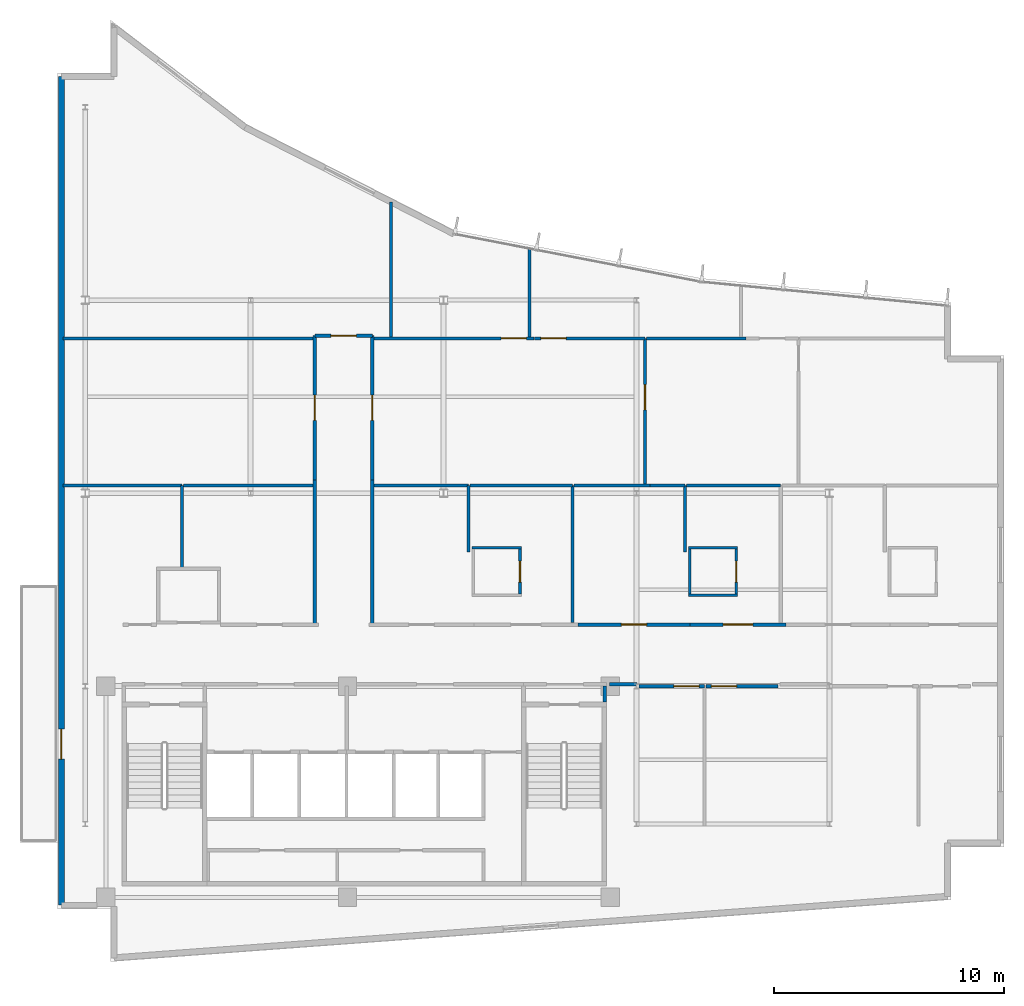
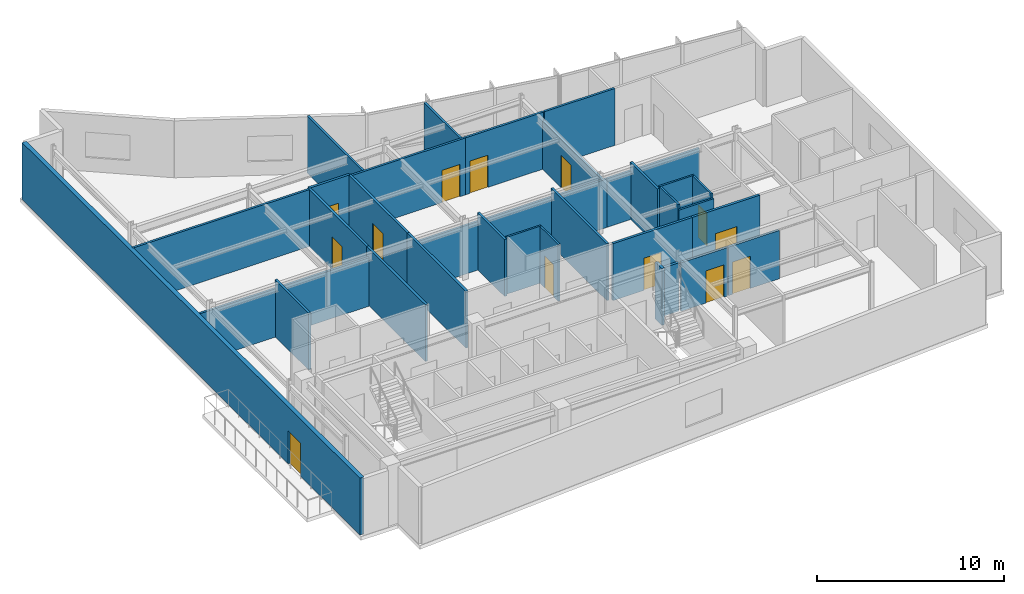
# One storey, part 11 of 16: 36 walls, 13 doors, 13 openings.
"""IFC4 building model written with IfcOpenShell, lengths in metres."""

from ifc_helpers import new_model, si_unit, direction, frame, frame_2d, origin, place, context, subcontext, project, spatial, rectangle, extrude, material, layer, layer_set, type_object, element, fill, save


model = new_model("IFC4")

# Units and contexts
model_context = context("Model", 3, precision=1e-05, world=origin(), true_north=direction((0.0, 1.0)))
body_context = subcontext(model_context, "Body", "Model", "MODEL_VIEW")
ifc_project = project(units=[si_unit("LENGTHUNIT", "METRE"), si_unit("AREAUNIT", "SQUARE_METRE"), si_unit("VOLUMEUNIT", "CUBIC_METRE"), si_unit("PLANEANGLEUNIT", "RADIAN"), si_unit("MASSUNIT", "GRAM", prefix="KILO")], contexts=[model_context])

# Site, building, storey
site_placement = place(None, origin())
site = spatial("IfcSite", under=ifc_project, at=site_placement, CompositionType="ELEMENT")
building_placement = place(site_placement, origin())
building = spatial("IfcBuilding", under=site, at=building_placement, Name="Varnakote Quay Hospital", CompositionType="ELEMENT")
storey_placement = place(building_placement, frame((0.0, 0.0, 280.25)))
storey = spatial("IfcBuildingStorey", under=building, at=storey_placement, Name="L69", CompositionType="ELEMENT", Elevation=280.25)

# Walls
ifc_material_1 = material(Name="Fire-rated acoustic gypsum stud wall", Category="gypsum")
ifc_layer_1 = layer(ifc_material_1, 0.159912109375)
ifc_layer_set_1 = layer_set([ifc_layer_1], Name="Fire-rated acoustic gypsum stud wall")
wall_type_1 = type_object("IfcWallType", Name="WL-COMP-160", PredefinedType="PARTITIONING", material=ifc_layer_set_1)
wall_1_placement = place(storey_placement, frame((23.820068359375, 11.300048828125, 0.0), z_axis=(0.0, 0.0, 1.0), x_axis=(0.0, 1.0, 0.0)))
element("IfcWall", 1, at=wall_1_placement, inside=storey, type_object=wall_type_1, Name="L69 East Stair Vestibule East Wall", PredefinedType="PARTITIONING", context=body_context, shape_type="SweptSolid", body=[
    extrude(rectangle(XDim=0.699951171875, YDim=0.159912109375, at=frame_2d((0.35009765625, 0.0))), origin(), (0.0, 0.0, 1.0), 3.7099609375),
])
wall_2_placement = place(storey_placement, frame((24.02001953125, 12.080078125, 0.0), z_axis=(0.0, 0.0, 1.0), x_axis=(1.0, 0.0, 0.0)))
element("IfcWall", 2, at=wall_2_placement, inside=storey, type_object=wall_type_1, Name="L69 Corridor South Gap Wall", PredefinedType="PARTITIONING", context=body_context, shape_type="SweptSolid", body=[
    extrude(rectangle(XDim=1.193115234375, YDim=0.159912109375, at=frame_2d((0.5966796875, 0.0))), origin(), (0.0, 0.0, 1.0), 3.156982421875),
])
ifc_material_2 = material(Name="Moisture-resistant bathroom partition", Category="gypsum")
ifc_layer_2 = layer(ifc_material_2, 0.114990234375)
ifc_layer_set_2 = layer_set([ifc_layer_2], Name="Moisture-resistant bathroom partition")
wall_type_2 = type_object("IfcWallType", Name="WL-ENS-115", PredefinedType="PARTITIONING", material=ifc_layer_set_2)
wall_3_placement = place(storey_placement, frame((18.034912109375, 18.017578125, 0.0), z_axis=(0.0, 0.0, 1.0), x_axis=(1.0, 0.0, 0.0)))
element("IfcWall", 3, at=wall_3_placement, inside=storey, type_object=wall_type_2, Name="L69 Inpatient En-Suite Bathroom 01 N Wall", PredefinedType="PARTITIONING", context=body_context, shape_type="SweptSolid", body=[
    extrude(rectangle(XDim=2.150146484375, YDim=0.114990234375, at=frame_2d((1.0751953125, 0.0))), origin(), (0.0, 0.0, 1.0), 3.7099609375),
])

# Wall, opening, door
wall_4_placement = place(storey_placement, frame((20.12744140625, 16.010009765625, 0.0), z_axis=(0.0, 0.0, 1.0), x_axis=(0.0, 1.0, 0.0)))
wall_4 = element("IfcWall", 4, at=wall_4_placement, inside=storey, type_object=wall_type_2, Name="L69 Inpatient En-Suite Bathroom 01 E Wall", PredefinedType="PARTITIONING", context=body_context, shape_type="SweptSolid", body=[
    extrude(rectangle(XDim=1.949951171875, YDim=0.114990234375, at=frame_2d((0.97509765625, 0.0))), origin(), (0.0, 0.0, 1.0), 3.7099609375),
])
opening_1_placement = place(wall_4_placement, frame((0.514892578125, 0.0, 0.0)))
opening_1 = element("IfcOpeningElement", 5, at=opening_1_placement, cuts=wall_4, Name="Opening D-L69-ENS01", PredefinedType="OPENING", context=body_context, shape_type="SweptSolid", body=[
    extrude(rectangle(XDim=0.919921875, YDim=2.10009765625, at=frame_2d((0.4599609375, 1.050048828125))), frame((0.0, 0.0673828125, 0.0), z_axis=(0.0, -1.0, 0.0), x_axis=(1.0, 0.0, 0.0)), (0.0, 0.0, 1.0), 0.135009765625),
])
ifc_material_3 = material(Name="Moisture-sealed en-suite bathroom door")
door_type_1 = type_object("IfcDoorType", Name="DR-ENS-920x2100", OperationType="NOTDEFINED", PredefinedType="DOOR", material=ifc_material_3)
door_1_placement = place(opening_1_placement, origin())
door_1 = element("IfcDoor", 6, at=door_1_placement, inside=storey, type_object=door_type_1, Name="L69 Inpatient En-Suite Bathroom 01 Door", OperationType="SINGLE_SWING_RIGHT", OverallHeight=2.10009765625, OverallWidth=0.919921875, PredefinedType="DOOR", context=body_context, shape_type="SweptSolid", body=[
    extrude(rectangle(XDim=0.919921875, YDim=2.10009765625, at=frame_2d((0.4599609375, 1.050048828125))), frame((0.0, 0.02490234375, 0.0), z_axis=(0.0, -1.0, 0.0), x_axis=(1.0, 0.0, 0.0)), (0.0, 0.0, 1.0), 0.050048828125),
])
fill(opening_1, door_1)

# Walls
wall_5_placement = place(storey_placement, frame((27.455078125, 15.952392578125, 0.0), z_axis=(0.0, 0.0, 1.0), x_axis=(1.0, 0.0, 0.0)))
element("IfcWall", 7, at=wall_5_placement, inside=storey, type_object=wall_type_2, Name="L69 Inpatient En-Suite Bathroom 02 S Wall", PredefinedType="PARTITIONING", context=body_context, shape_type="SweptSolid", body=[
    extrude(rectangle(XDim=2.14990234375, YDim=0.114990234375, at=frame_2d((1.074951171875, 0.0))), origin(), (0.0, 0.0, 1.0), 3.428955078125),
])
wall_6_placement = place(storey_placement, frame((27.455078125, 18.017578125, 0.0), z_axis=(0.0, 0.0, 1.0), x_axis=(1.0, 0.0, 0.0)))
element("IfcWall", 8, at=wall_6_placement, inside=storey, type_object=wall_type_2, Name="L69 Inpatient En-Suite Bathroom 02 N Wall", PredefinedType="PARTITIONING", context=body_context, shape_type="SweptSolid", body=[
    extrude(rectangle(XDim=2.14990234375, YDim=0.114990234375, at=frame_2d((1.074951171875, 0.0))), origin(), (0.0, 0.0, 1.0), 3.7099609375),
])
wall_7_placement = place(storey_placement, frame((27.512451171875, 16.010009765625, 0.0), z_axis=(0.0, 0.0, 1.0), x_axis=(0.0, 1.0, 0.0)))
element("IfcWall", 9, at=wall_7_placement, inside=storey, type_object=wall_type_2, Name="L69 Inpatient En-Suite Bathroom 02 W Wall", PredefinedType="PARTITIONING", context=body_context, shape_type="SweptSolid", body=[
    extrude(rectangle(XDim=1.949951171875, YDim=0.114990234375, at=frame_2d((0.97509765625, 0.0))), origin(), (0.0, 0.0, 1.0), 3.7099609375),
])

# Wall, opening, door
wall_8_placement = place(storey_placement, frame((29.547607421875, 16.010009765625, 0.0), z_axis=(0.0, 0.0, 1.0), x_axis=(0.0, 1.0, 0.0)))
wall_8 = element("IfcWall", 10, at=wall_8_placement, inside=storey, type_object=wall_type_2, Name="L69 Inpatient En-Suite Bathroom 02 E Wall", PredefinedType="PARTITIONING", context=body_context, shape_type="SweptSolid", body=[
    extrude(rectangle(XDim=1.949951171875, YDim=0.114990234375, at=frame_2d((0.97509765625, 0.0))), origin(), (0.0, 0.0, 1.0), 3.7099609375),
])
opening_2_placement = place(wall_8_placement, frame((0.514892578125, 0.0, 0.0)))
opening_2 = element("IfcOpeningElement", 11, at=opening_2_placement, cuts=wall_8, Name="Opening D-L69-ENS02", PredefinedType="OPENING", context=body_context, shape_type="SweptSolid", body=[
    extrude(rectangle(XDim=0.919921875, YDim=2.10009765625, at=frame_2d((0.4599609375, 1.050048828125))), frame((0.0, 0.0673828125, 0.0), z_axis=(0.0, -1.0, 0.0), x_axis=(1.0, 0.0, 0.0)), (0.0, 0.0, 1.0), 0.135009765625),
])
door_2_placement = place(opening_2_placement, origin())
door_2 = element("IfcDoor", 12, at=door_2_placement, inside=storey, type_object=door_type_1, Name="L69 Inpatient En-Suite Bathroom 02 Door", OperationType="SINGLE_SWING_LEFT", OverallHeight=2.10009765625, OverallWidth=0.919921875, PredefinedType="DOOR", context=body_context, shape_type="SweptSolid", body=[
    extrude(rectangle(XDim=0.919921875, YDim=2.10009765625, at=frame_2d((0.4599609375, 1.050048828125))), frame((0.0, 0.02490234375, 0.0), z_axis=(0.0, -1.0, 0.0), x_axis=(1.0, 0.0, 0.0)), (0.0, 0.0, 1.0), 0.050048828125),
])
fill(opening_2, door_2)

ifc_material_4 = material(Name="Precast concrete N50 (f'c 50 MPa)", Category="concrete")
ifc_layer_3 = layer(ifc_material_4, 0.260009765625)
ifc_layer_set_3 = layer_set([ifc_layer_3], Name="Precast concrete N50 (f'c 50 MPa)")
wall_type_3 = type_object("IfcWallType", Name="WL-EXT-BRICK-260", PredefinedType="STANDARD", material=ifc_layer_set_3)
wall_9_placement = place(storey_placement, frame((0.159912109375, 38.5400390625, 0.0), z_axis=(0.0, 0.0, 1.0), x_axis=(0.0, -1.0, 0.0)))
wall_9 = element("IfcWall", 13, at=wall_9_placement, inside=storey, type_object=wall_type_3, Name="L69 Healing Terrace Portal Brick Wall", PredefinedType="STANDARD", context=body_context, shape_type="SweptSolid", body=[
    extrude(rectangle(XDim=36.080078125, YDim=0.260009765625, at=frame_2d((18.0400390625, 0.0))), origin(), (0.0, 0.0, 1.0), 3.7099609375),
])
opening_3_placement = place(wall_9_placement, frame((28.414306640625, 0.0, 0.0)))
opening_3 = element("IfcOpeningElement", 14, at=opening_3_placement, cuts=wall_9, Name="Opening DT-L69", PredefinedType="OPENING", context=body_context, shape_type="SweptSolid", body=[
    extrude(rectangle(XDim=1.300048828125, YDim=2.14990234375, at=frame_2d((0.64990234375, 1.074951171875))), frame((0.0, 0.139892578125, 0.0), z_axis=(0.0, -1.0, 0.0), x_axis=(1.0, 0.0, 0.0)), (0.0, 0.0, 1.0), 0.280029296875),
])
ifc_material_5 = material(Name="Anodised aluminium glazed terrace door", Category="aluminium")
door_type_2 = type_object("IfcDoorType", Name="DR-EXT-TERR-1300x2150", OperationType="NOTDEFINED", PredefinedType="DOOR", material=ifc_material_5)
door_3_placement = place(opening_3_placement, origin())
door_3 = element("IfcDoor", 15, at=door_3_placement, inside=storey, type_object=door_type_2, Name="L69 Waterfront Healing Terrace Door", OperationType="SINGLE_SWING_RIGHT", OverallHeight=2.14990234375, OverallWidth=1.300048828125, PredefinedType="DOOR", context=body_context, shape_type="SweptSolid", body=[
    extrude(rectangle(XDim=1.300048828125, YDim=2.14990234375, at=frame_2d((0.64990234375, 1.074951171875))), frame((0.0, 0.02490234375, 0.0), z_axis=(0.0, -1.0, 0.0), x_axis=(1.0, 0.0, 0.0)), (0.0, 0.0, 1.0), 0.050048828125),
])
fill(opening_3, door_3)

# Walls
ifc_material_6 = material(Name="Smoke-proof clinical partition", Category="gypsum")
ifc_layer_4 = layer(ifc_material_6, 0.135009765625)
ifc_layer_set_4 = layer_set([ifc_layer_4], Name="Smoke-proof clinical partition")
wall_type_4 = type_object("IfcWallType", Name="WL-SMOKE-135", PredefinedType="PARTITIONING", material=ifc_layer_set_4)
wall_10_placement = place(storey_placement, frame((5.409912109375, 17.139892578125, 0.0), z_axis=(0.0, 0.0, 1.0), x_axis=(0.0, 1.0, 0.0)))
element("IfcWall", 16, at=wall_10_placement, inside=storey, type_object=wall_type_4, Name="L69 Clinical Interior Partition", PredefinedType="PARTITIONING", context=body_context, shape_type="SweptSolid", body=[
    extrude(rectangle(XDim=3.60009765625, YDim=0.135009765625, at=frame_2d((1.800048828125, 0.0))), origin(), (0.0, 0.0, 1.0), 3.7099609375),
])
wall_11_placement = place(storey_placement, frame((5.409912109375, 20.739990234375, 0.0), z_axis=(0.0, 0.0, 1.0), x_axis=(-1.0, 0.0, 0.0)))
element("IfcWall", 17, at=wall_11_placement, inside=storey, type_object=wall_type_4, Name="L69 Clinical Interior Partition", PredefinedType="PARTITIONING", context=body_context, shape_type="SweptSolid", body=[
    extrude(rectangle(XDim=5.169921875, YDim=0.135009765625, at=frame_2d((2.5849609375, 0.0))), origin(), (0.0, 0.0, 1.0), 3.156982421875),
])
wall_12_placement = place(storey_placement, frame((11.1201171875, 20.739990234375, 0.0), z_axis=(0.0, 0.0, 1.0), x_axis=(-1.0, 0.0, 0.0)))
element("IfcWall", 18, at=wall_12_placement, inside=storey, type_object=wall_type_4, Name="L69 Clinical Interior Partition", PredefinedType="PARTITIONING", context=body_context, shape_type="SweptSolid", body=[
    extrude(rectangle(XDim=5.652587890625, YDim=0.135009765625, at=frame_2d((2.826171875, 0.0))), origin(), (0.0, 0.0, 1.0), 3.156982421875),
])
wall_13_placement = place(storey_placement, frame((17.889892578125, 17.83251953125, 0.0), z_axis=(0.0, 0.0, 1.0), x_axis=(0.0, 1.0, 0.0)))
element("IfcWall", 19, at=wall_13_placement, inside=storey, type_object=wall_type_4, Name="L69 Clinical Interior Partition", PredefinedType="PARTITIONING", context=body_context, shape_type="SweptSolid", body=[
    extrude(rectangle(XDim=2.907470703125, YDim=0.135009765625, at=frame_2d((1.45361328125, 0.0))), origin(), (0.0, 0.0, 1.0), 3.7099609375),
])
wall_14_placement = place(storey_placement, frame((17.889892578125, 20.739990234375, 0.0), z_axis=(0.0, 0.0, 1.0), x_axis=(-1.0, 0.0, 0.0)))
element("IfcWall", 20, at=wall_14_placement, inside=storey, type_object=wall_type_4, Name="L69 Clinical Interior Partition", PredefinedType="PARTITIONING", context=body_context, shape_type="SweptSolid", body=[
    extrude(rectangle(XDim=4.10986328125, YDim=0.135009765625, at=frame_2d((2.054931640625, 0.0))), origin(), (0.0, 0.0, 1.0), 3.156982421875),
])
wall_15_placement = place(storey_placement, frame((22.419921875, 14.760009765625, 0.0), z_axis=(0.0, 0.0, 1.0), x_axis=(0.0, 1.0, 0.0)))
element("IfcWall", 21, at=wall_15_placement, inside=storey, type_object=wall_type_4, Name="L69 Clinical Interior Partition", PredefinedType="PARTITIONING", context=body_context, shape_type="SweptSolid", body=[
    extrude(rectangle(XDim=5.97998046875, YDim=0.135009765625, at=frame_2d((2.989990234375, 0.0))), origin(), (0.0, 0.0, 1.0), 3.7099609375),
])
wall_16_placement = place(storey_placement, frame((22.419921875, 20.739990234375, 0.0), z_axis=(0.0, 0.0, 1.0), x_axis=(-1.0, 0.0, 0.0)))
element("IfcWall", 22, at=wall_16_placement, inside=storey, type_object=wall_type_4, Name="L69 Clinical Interior Partition", PredefinedType="PARTITIONING", context=body_context, shape_type="SweptSolid", body=[
    extrude(rectangle(XDim=4.472412109375, YDim=0.135009765625, at=frame_2d((2.236328125, 0.0))), origin(), (0.0, 0.0, 1.0), 3.156982421875),
])
wall_17_placement = place(storey_placement, frame((27.31005859375, 17.83251953125, 0.0), z_axis=(0.0, 0.0, 1.0), x_axis=(0.0, 1.0, 0.0)))
element("IfcWall", 23, at=wall_17_placement, inside=storey, type_object=wall_type_4, Name="L69 Clinical Interior Partition", PredefinedType="PARTITIONING", context=body_context, shape_type="SweptSolid", body=[
    extrude(rectangle(XDim=2.907470703125, YDim=0.135009765625, at=frame_2d((1.45361328125, 0.0))), origin(), (0.0, 0.0, 1.0), 3.7099609375),
])
wall_18_placement = place(storey_placement, frame((25.777587890625, 20.739990234375, 0.0), z_axis=(0.0, 0.0, 1.0), x_axis=(-1.0, 0.0, 0.0)))
element("IfcWall", 24, at=wall_18_placement, inside=storey, type_object=wall_type_4, Name="L69 Clinical Interior Partition", PredefinedType="PARTITIONING", context=body_context, shape_type="SweptSolid", body=[
    extrude(rectangle(XDim=3.300048828125, YDim=0.135009765625, at=frame_2d((1.64990234375, 0.0))), origin(), (0.0, 0.0, 1.0), 3.156982421875),
])
wall_19_placement = place(storey_placement, frame((27.31005859375, 20.739990234375, 0.0), z_axis=(0.0, 0.0, 1.0), x_axis=(-1.0, 0.0, 0.0)))
element("IfcWall", 25, at=wall_19_placement, inside=storey, type_object=wall_type_4, Name="L69 Clinical Interior Partition", PredefinedType="PARTITIONING", context=body_context, shape_type="SweptSolid", body=[
    extrude(rectangle(XDim=1.530517578125, YDim=0.135009765625, at=frame_2d((0.76513671875, 0.0))), origin(), (0.0, 0.0, 1.0), 3.156982421875),
])
wall_20_placement = place(storey_placement, frame((31.47998046875, 20.739990234375, 0.0), z_axis=(0.0, 0.0, 1.0), x_axis=(-1.0, 0.0, 0.0)))
element("IfcWall", 26, at=wall_20_placement, inside=storey, type_object=wall_type_4, Name="L69 Clinical Interior Partition", PredefinedType="PARTITIONING", context=body_context, shape_type="SweptSolid", body=[
    extrude(rectangle(XDim=4.112548828125, YDim=0.135009765625, at=frame_2d((2.05615234375, 0.0))), origin(), (0.0, 0.0, 1.0), 3.156982421875),
])
wall_21_placement = place(storey_placement, frame((11.1201171875, 27.139892578125, 0.0), z_axis=(0.0, 0.0, 1.0), x_axis=(-1.0, 0.0, 0.0)))
element("IfcWall", 27, at=wall_21_placement, inside=storey, type_object=wall_type_4, Name="L69 Clinical Interior Partition", PredefinedType="PARTITIONING", context=body_context, shape_type="SweptSolid", body=[
    extrude(rectangle(XDim=10.880126953125, YDim=0.135009765625, at=frame_2d((5.43994140625, 0.0))), origin(), (0.0, 0.0, 1.0), 3.7099609375),
])

# Wall, opening, door
wall_22_placement = place(storey_placement, frame((25.570068359375, 20.797607421875, 0.0), z_axis=(0.0, 0.0, 1.0), x_axis=(0.0, 1.0, 0.0)))
wall_22 = element("IfcWall", 28, at=wall_22_placement, inside=storey, type_object=wall_type_4, Name="L69 Clinical Interior Partition", PredefinedType="PARTITIONING", context=body_context, shape_type="SweptSolid", body=[
    extrude(rectangle(XDim=6.34228515625, YDim=0.135009765625, at=frame_2d((3.171142578125, 0.0))), origin(), (0.0, 0.0, 1.0), 3.156982421875),
])
opening_4_placement = place(wall_22_placement, frame((3.2265625, 0.0, 0.0)))
opening_4 = element("IfcOpeningElement", 29, at=opening_4_placement, cuts=wall_22, Name="Opening D-L69-MD07", PredefinedType="OPENING", context=body_context, shape_type="SweptSolid", body=[
    extrude(rectangle(XDim=1.10009765625, YDim=2.10009765625, at=frame_2d((0.550048828125, 1.050048828125))), frame((0.0, 0.077392578125, 0.0), z_axis=(0.0, -1.0, 0.0), x_axis=(1.0, 0.0, 0.0)), (0.0, 0.0, 1.0), 0.155029296875),
])
ifc_material_7 = material(Name="Acoustic timber clinical consult door", Category="wood")
door_type_3 = type_object("IfcDoorType", Name="DR-CLIN-FD30S-1100x2100", OperationType="NOTDEFINED", PredefinedType="DOOR", material=ifc_material_7)
door_4_placement = place(opening_4_placement, origin())
door_4 = element("IfcDoor", 30, at=door_4_placement, inside=storey, type_object=door_type_3, Name="L69 Ward Dietetics Pantry Door", OperationType="SINGLE_SWING_RIGHT", OverallHeight=2.10009765625, OverallWidth=1.10009765625, PredefinedType="DOOR", context=body_context, shape_type="SweptSolid", body=[
    extrude(rectangle(XDim=1.10009765625, YDim=2.10009765625, at=frame_2d((0.550048828125, 1.050048828125))), frame((0.0, 0.02490234375, 0.0), z_axis=(0.0, -1.0, 0.0), x_axis=(1.0, 0.0, 0.0)), (0.0, 0.0, 1.0), 0.050048828125),
])
fill(opening_4, door_4)

wall_23_placement = place(storey_placement, frame((20.74755859375, 27.139892578125, 0.0), z_axis=(0.0, 0.0, 1.0), x_axis=(-1.0, 0.0, 0.0)))
wall_23 = element("IfcWall", 31, at=wall_23_placement, inside=storey, type_object=wall_type_4, Name="L69 Clinical Interior Partition", PredefinedType="PARTITIONING", context=body_context, shape_type="SweptSolid", body=[
    extrude(rectangle(XDim=6.982666015625, YDim=0.135009765625, at=frame_2d((3.4912109375, 0.0))), origin(), (0.0, 0.0, 1.0), 3.7099609375),
])
opening_5_placement = place(wall_23_placement, frame((0.337158203125, 0.0, 0.0)))
opening_5 = element("IfcOpeningElement", 32, at=opening_5_placement, cuts=wall_23, Name="Opening D-L69-MD10", PredefinedType="OPENING", context=body_context, shape_type="SweptSolid", body=[
    extrude(rectangle(XDim=1.10009765625, YDim=2.10009765625, at=frame_2d((0.550048828125, 1.050048828125))), frame((0.0, 0.077392578125, 0.0), z_axis=(0.0, -1.0, 0.0), x_axis=(1.0, 0.0, 0.0)), (0.0, 0.0, 1.0), 0.155029296875),
])
door_5_placement = place(opening_5_placement, origin())
door_5 = element("IfcDoor", 33, at=door_5_placement, inside=storey, type_object=door_type_3, Name="L69 Multidisciplinary Clinical Consultation Suite Door", OperationType="SINGLE_SWING_LEFT", OverallHeight=2.10009765625, OverallWidth=1.10009765625, PredefinedType="DOOR", context=body_context, shape_type="SweptSolid", body=[
    extrude(rectangle(XDim=1.10009765625, YDim=2.10009765625, at=frame_2d((0.550048828125, 1.050048828125))), frame((0.0, 0.02490234375, 0.0), z_axis=(0.0, -1.0, 0.0), x_axis=(1.0, 0.0, 0.0)), (0.0, 0.0, 1.0), 0.050048828125),
])
fill(opening_5, door_5)

wall_24_placement = place(storey_placement, frame((25.570068359375, 27.139892578125, 0.0), z_axis=(0.0, 0.0, 1.0), x_axis=(-1.0, 0.0, 0.0)))
wall_24 = element("IfcWall", 34, at=wall_24_placement, inside=storey, type_object=wall_type_4, Name="L69 Clinical Interior Partition", PredefinedType="PARTITIONING", context=body_context, shape_type="SweptSolid", body=[
    extrude(rectangle(XDim=4.820556640625, YDim=0.135009765625, at=frame_2d((2.41015625, 0.0))), origin(), (0.0, 0.0, 1.0), 3.7099609375),
])
opening_6_placement = place(wall_24_placement, frame((3.4375, 0.0, 0.0)))
opening_6 = element("IfcOpeningElement", 35, at=opening_6_placement, cuts=wall_24, Name="Opening D-L69-MD11", PredefinedType="OPENING", context=body_context, shape_type="SweptSolid", body=[
    extrude(rectangle(XDim=1.10009765625, YDim=2.10009765625, at=frame_2d((0.550048828125, 1.050048828125))), frame((0.0, 0.077392578125, 0.0), z_axis=(0.0, -1.0, 0.0), x_axis=(1.0, 0.0, 0.0)), (0.0, 0.0, 1.0), 0.155029296875),
])
door_6_placement = place(opening_6_placement, origin())
door_6 = element("IfcDoor", 36, at=door_6_placement, inside=storey, type_object=door_type_3, Name="L69 Ward Dietetics Pantry Door", OperationType="SINGLE_SWING_RIGHT", OverallHeight=2.10009765625, OverallWidth=1.10009765625, PredefinedType="DOOR", context=body_context, shape_type="SweptSolid", body=[
    extrude(rectangle(XDim=1.10009765625, YDim=2.10009765625, at=frame_2d((0.550048828125, 1.050048828125))), frame((0.0, 0.02490234375, 0.0), z_axis=(0.0, -1.0, 0.0), x_axis=(1.0, 0.0, 0.0)), (0.0, 0.0, 1.0), 0.050048828125),
])
fill(opening_6, door_6)

# Walls
wall_25_placement = place(storey_placement, frame((29.95751953125, 27.139892578125, 0.0), z_axis=(0.0, 0.0, 1.0), x_axis=(-1.0, 0.0, 0.0)))
element("IfcWall", 37, at=wall_25_placement, inside=storey, type_object=wall_type_4, Name="L69 Clinical Interior Partition", PredefinedType="PARTITIONING", context=body_context, shape_type="SweptSolid", body=[
    extrude(rectangle(XDim=4.330078125, YDim=0.135009765625, at=frame_2d((2.1650390625, 0.0))), origin(), (0.0, 0.0, 1.0), 3.7099609375),
])
wall_26_placement = place(storey_placement, frame((14.52001953125, 27.197509765625, 0.0), z_axis=(0.0, 0.0, 1.0), x_axis=(0.0, 1.0, 0.0)))
element("IfcWall", 38, at=wall_26_placement, inside=storey, type_object=wall_type_4, Name="L69 Clinical Interior Partition", PredefinedType="PARTITIONING", context=body_context, shape_type="SweptSolid", body=[
    extrude(rectangle(XDim=5.877685546875, YDim=0.135009765625, at=frame_2d((2.93896484375, 0.0))), origin(), (0.0, 0.0, 1.0), 3.7099609375),
])
wall_27_placement = place(storey_placement, frame((20.5400390625, 27.197509765625, 0.0), z_axis=(0.0, 0.0, 1.0), x_axis=(0.0, 1.0, 0.0)))
element("IfcWall", 39, at=wall_27_placement, inside=storey, type_object=wall_type_4, Name="L69 Clinical Interior Partition", PredefinedType="PARTITIONING", context=body_context, shape_type="SweptSolid", body=[
    extrude(rectangle(XDim=3.845703125, YDim=0.135009765625, at=frame_2d((1.9228515625, 0.0))), origin(), (0.0, 0.0, 1.0), 3.7099609375),
])

# Wall, opening, door
ifc_material_8 = material(Name="Fire-rated clinical gypsum partition", Category="gypsum")
ifc_layer_5 = layer(ifc_material_8, 0.14990234375)
ifc_layer_set_5 = layer_set([ifc_layer_5], Name="Fire-rated clinical gypsum partition")
wall_type_5 = type_object("IfcWallType", Name="WL-WARD-150", PredefinedType="PARTITIONING", material=ifc_layer_set_5)
wall_28_placement = place(storey_placement, frame((28.159912109375, 12.0, 0.0), z_axis=(0.0, 0.0, 1.0), x_axis=(-1.0, 0.0, 0.0)))
wall_28 = element("IfcWall", 40, at=wall_28_placement, inside=storey, type_object=wall_type_5, Name="L69 Clinical Interior Partition", PredefinedType="PARTITIONING", context=body_context, shape_type="SweptSolid", body=[
    extrude(rectangle(XDim=2.857421875, YDim=0.14990234375, at=frame_2d((1.4287109375, 0.0))), origin(), (0.0, 0.0, 1.0), 3.156982421875),
])
opening_7_placement = place(wall_28_placement, frame((0.23388671875, 0.0, 0.0)))
opening_7 = element("IfcOpeningElement", 41, at=opening_7_placement, cuts=wall_28, Name="Opening D-L69-RL1", PredefinedType="OPENING", context=body_context, shape_type="SweptSolid", body=[
    extrude(rectangle(XDim=1.10009765625, YDim=2.10009765625, at=frame_2d((0.550048828125, 1.050048828125))), frame((0.0, 0.0849609375, 0.0), z_axis=(0.0, -1.0, 0.0), x_axis=(1.0, 0.0, 0.0)), (0.0, 0.0, 1.0), 0.169921875),
])
door_7_placement = place(opening_7_placement, origin())
door_7 = element("IfcDoor", 42, at=door_7_placement, inside=storey, type_object=door_type_3, Name="L69 Day Infusion Treatment Suite Door", OperationType="SINGLE_SWING_LEFT", OverallHeight=2.10009765625, OverallWidth=1.10009765625, PredefinedType="DOOR", context=body_context, shape_type="SweptSolid", body=[
    extrude(rectangle(XDim=1.10009765625, YDim=2.10009765625, at=frame_2d((0.550048828125, 1.050048828125))), frame((0.0, 0.02490234375, 0.0), z_axis=(0.0, -1.0, 0.0), x_axis=(1.0, 0.0, 0.0)), (0.0, 0.0, 1.0), 0.050048828125),
])
fill(opening_7, door_7)

wall_29_placement = place(storey_placement, frame((31.35009765625, 12.0, 0.0), z_axis=(0.0, 0.0, 1.0), x_axis=(-1.0, 0.0, 0.0)))
wall_29 = element("IfcWall", 43, at=wall_29_placement, inside=storey, type_object=wall_type_5, Name="L69 Clinical Interior Partition", PredefinedType="PARTITIONING", context=body_context, shape_type="SweptSolid", body=[
    extrude(rectangle(XDim=3.132568359375, YDim=0.14990234375, at=frame_2d((1.56640625, 0.0))), origin(), (0.0, 0.0, 1.0), 3.156982421875),
])
opening_8_placement = place(wall_29_placement, frame((1.791748046875, 0.0, 0.0)))
opening_8 = element("IfcOpeningElement", 44, at=opening_8_placement, cuts=wall_29, Name="Opening D-L69-RL2", PredefinedType="OPENING", context=body_context, shape_type="SweptSolid", body=[
    extrude(rectangle(XDim=1.10009765625, YDim=2.10009765625, at=frame_2d((0.550048828125, 1.050048828125))), frame((0.0, 0.0849609375, 0.0), z_axis=(0.0, -1.0, 0.0), x_axis=(1.0, 0.0, 0.0)), (0.0, 0.0, 1.0), 0.169921875),
])
door_8_placement = place(opening_8_placement, origin())
door_8 = element("IfcDoor", 45, at=door_8_placement, inside=storey, type_object=door_type_3, Name="L69 Telemedicine Consult Office Door", OperationType="SINGLE_SWING_RIGHT", OverallHeight=2.10009765625, OverallWidth=1.10009765625, PredefinedType="DOOR", context=body_context, shape_type="SweptSolid", body=[
    extrude(rectangle(XDim=1.10009765625, YDim=2.10009765625, at=frame_2d((0.550048828125, 1.050048828125))), frame((0.0, 0.02490234375, 0.0), z_axis=(0.0, -1.0, 0.0), x_axis=(1.0, 0.0, 0.0)), (0.0, 0.0, 1.0), 0.050048828125),
])
fill(opening_8, door_8)

wall_30_placement = place(storey_placement, frame((27.535888671875, 14.679931640625, 0.0), z_axis=(0.0, 0.0, 1.0), x_axis=(-1.0, 0.0, 0.0)))
wall_30 = element("IfcWall", 46, at=wall_30_placement, inside=storey, type_object=wall_type_5, Name="L69 Clinical Interior Partition", PredefinedType="PARTITIONING", context=body_context, shape_type="SweptSolid", body=[
    extrude(rectangle(XDim=4.887939453125, YDim=0.14990234375, at=frame_2d((2.44384765625, 0.0))), origin(), (0.0, 0.0, 1.0), 3.7099609375),
])
opening_9_placement = place(wall_30_placement, frame((1.89404296875, 0.0, 0.0)))
opening_9 = element("IfcOpeningElement", 47, at=opening_9_placement, cuts=wall_30, Name="Opening D-L69-MD04", PredefinedType="OPENING", context=body_context, shape_type="SweptSolid", body=[
    extrude(rectangle(XDim=1.10009765625, YDim=2.10009765625, at=frame_2d((0.550048828125, 1.050048828125))), frame((0.0, 0.0849609375, 0.0), z_axis=(0.0, -1.0, 0.0), x_axis=(1.0, 0.0, 0.0)), (0.0, 0.0, 1.0), 0.169921875),
])
door_9_placement = place(opening_9_placement, origin())
door_9 = element("IfcDoor", 48, at=door_9_placement, inside=storey, type_object=door_type_3, Name="L69 Rehab Specialist Office Door", OperationType="SINGLE_SWING_LEFT", OverallHeight=2.10009765625, OverallWidth=1.10009765625, PredefinedType="DOOR", context=body_context, shape_type="SweptSolid", body=[
    extrude(rectangle(XDim=1.10009765625, YDim=2.10009765625, at=frame_2d((0.550048828125, 1.050048828125))), frame((0.0, 0.02490234375, 0.0), z_axis=(0.0, -1.0, 0.0), x_axis=(1.0, 0.0, 0.0)), (0.0, 0.0, 1.0), 0.050048828125),
])
fill(opening_9, door_9)

wall_31_placement = place(storey_placement, frame((31.7060546875, 14.679931640625, 0.0), z_axis=(0.0, 0.0, 1.0), x_axis=(-1.0, 0.0, 0.0)))
wall_31 = element("IfcWall", 49, at=wall_31_placement, inside=storey, type_object=wall_type_5, Name="L69 Clinical Interior Partition", PredefinedType="PARTITIONING", context=body_context, shape_type="SweptSolid", body=[
    extrude(rectangle(XDim=4.16796875, YDim=0.14990234375, at=frame_2d((2.083984375, 0.0))), origin(), (0.0, 0.0, 1.0), 3.7099609375),
])
opening_10_placement = place(wall_31_placement, frame((1.43408203125, 0.0, 0.0)))
opening_10 = element("IfcOpeningElement", 50, at=opening_10_placement, cuts=wall_31, Name="Opening D-L69-BR02", PredefinedType="OPENING", context=body_context, shape_type="SweptSolid", body=[
    extrude(rectangle(XDim=1.300048828125, YDim=2.14990234375, at=frame_2d((0.64990234375, 1.074951171875))), frame((0.0, 0.0849609375, 0.0), z_axis=(0.0, -1.0, 0.0), x_axis=(1.0, 0.0, 0.0)), (0.0, 0.0, 1.0), 0.169921875),
])
ifc_material_9 = material(Name="Solid-core timber clinical bed door", Category="wood")
door_type_4 = type_object("IfcDoorType", Name="DR-WARD-FD30S-1300x2150", OperationType="NOTDEFINED", PredefinedType="DOOR", material=ifc_material_9)
door_10_placement = place(opening_10_placement, origin())
door_10 = element("IfcDoor", 51, at=door_10_placement, inside=storey, type_object=door_type_4, Name="L69 Resident Care Bedroom 02 Door", OperationType="SINGLE_SWING_RIGHT", OverallHeight=2.14990234375, OverallWidth=1.300048828125, PredefinedType="DOOR", context=body_context, shape_type="SweptSolid", body=[
    extrude(rectangle(XDim=1.300048828125, YDim=2.14990234375, at=frame_2d((0.64990234375, 1.074951171875))), frame((0.0, 0.02490234375, 0.0), z_axis=(0.0, -1.0, 0.0), x_axis=(1.0, 0.0, 0.0)), (0.0, 0.0, 1.0), 0.050048828125),
])
fill(opening_10, door_10)

# Walls
for number, where, z_axis, x_axis, name in (
    (52, (11.199951171875, 20.966064453125, 0.0), (0.0, 0.0, 1.0), (0.0, -1.0, 0.0), "L69 Clinical Interior Partition"),
    (53, (13.699951171875, 14.699951171875, 0.0), (0.0, 0.0, 1.0), (0.0, 1.0, 0.0), "L69 Clinical Interior Partition"),
):
    element("IfcWall", number, at=place(storey_placement, frame(where, z_axis=z_axis, x_axis=x_axis)), inside=storey, type_object=wall_type_5, Name=name, PredefinedType="PARTITIONING", context=body_context, shape_type="SweptSolid", body=[
        extrude(rectangle(XDim=6.26611328125, YDim=0.14990234375, at=frame_2d((3.133056640625, 0.0))), origin(), (0.0, 0.0, 1.0), 3.7099609375),
    ])

# Wall, opening, door
wall_32_placement = place(storey_placement, frame((11.199951171875, 27.260009765625, 0.0), z_axis=(0.0, 0.0, 1.0), x_axis=(0.0, -1.0, 0.0)))
wall_32 = element("IfcWall", 54, at=wall_32_placement, inside=storey, type_object=wall_type_5, Name="L69 Clinical Interior Partition", PredefinedType="PARTITIONING", context=body_context, shape_type="SweptSolid", body=[
    extrude(rectangle(XDim=6.2919921875, YDim=0.14990234375, at=frame_2d((3.14599609375, 0.0))), origin(), (0.0, 0.0, 1.0), 3.7099609375),
])
opening_11_placement = place(wall_32_placement, frame((2.595947265625, 0.0, 0.0)))
opening_11 = element("IfcOpeningElement", 55, at=opening_11_placement, cuts=wall_32, Name="Opening D-L69-DLNG", PredefinedType="OPENING", context=body_context, shape_type="SweptSolid", body=[
    extrude(rectangle(XDim=1.10009765625, YDim=2.10009765625, at=frame_2d((0.550048828125, 1.050048828125))), frame((0.0, 0.0849609375, 0.0), z_axis=(0.0, -1.0, 0.0), x_axis=(1.0, 0.0, 0.0)), (0.0, 0.0, 1.0), 0.169921875),
])
door_11_placement = place(opening_11_placement, origin())
door_11 = element("IfcDoor", 56, at=door_11_placement, inside=storey, type_object=door_type_3, Name="L69 Waterfront Patient & Family Dayroom Door", OperationType="SINGLE_SWING_LEFT", OverallHeight=2.10009765625, OverallWidth=1.10009765625, PredefinedType="DOOR", context=body_context, shape_type="SweptSolid", body=[
    extrude(rectangle(XDim=1.10009765625, YDim=2.10009765625, at=frame_2d((0.550048828125, 1.050048828125))), frame((0.0, 0.02490234375, 0.0), z_axis=(0.0, -1.0, 0.0), x_axis=(1.0, 0.0, 0.0)), (0.0, 0.0, 1.0), 0.050048828125),
])
fill(opening_11, door_11)

wall_33_placement = place(storey_placement, frame((13.699951171875, 20.968017578125, 0.0), z_axis=(0.0, 0.0, 1.0), x_axis=(0.0, 1.0, 0.0)))
wall_33 = element("IfcWall", 57, at=wall_33_placement, inside=storey, type_object=wall_type_5, Name="L69 Clinical Interior Partition", PredefinedType="PARTITIONING", context=body_context, shape_type="SweptSolid", body=[
    extrude(rectangle(XDim=6.2919921875, YDim=0.14990234375, at=frame_2d((3.14599609375, 0.0))), origin(), (0.0, 0.0, 1.0), 3.7099609375),
])
opening_12_placement = place(wall_33_placement, frame((2.595947265625, 0.0, 0.0)))
opening_12 = element("IfcOpeningElement", 58, at=opening_12_placement, cuts=wall_33, Name="Opening D-L69-MD06", PredefinedType="OPENING", context=body_context, shape_type="SweptSolid", body=[
    extrude(rectangle(XDim=1.10009765625, YDim=2.10009765625, at=frame_2d((0.550048828125, 1.050048828125))), frame((0.0, 0.0849609375, 0.0), z_axis=(0.0, -1.0, 0.0), x_axis=(1.0, 0.0, 0.0)), (0.0, 0.0, 1.0), 0.169921875),
])
door_12_placement = place(opening_12_placement, origin())
door_12 = element("IfcDoor", 59, at=door_12_placement, inside=storey, type_object=door_type_3, Name="L69 Multidisciplinary Clinical Consultation Suite Door", OperationType="SINGLE_SWING_RIGHT", OverallHeight=2.10009765625, OverallWidth=1.10009765625, PredefinedType="DOOR", context=body_context, shape_type="SweptSolid", body=[
    extrude(rectangle(XDim=1.10009765625, YDim=2.10009765625, at=frame_2d((0.550048828125, 1.050048828125))), frame((0.0, 0.02490234375, 0.0), z_axis=(0.0, -1.0, 0.0), x_axis=(1.0, 0.0, 0.0)), (0.0, 0.0, 1.0), 0.050048828125),
])
fill(opening_12, door_12)

wall_34_placement = place(storey_placement, frame((13.699951171875, 27.260009765625, 0.0), z_axis=(0.0, 0.0, 1.0), x_axis=(-1.0, 0.0, 0.0)))
wall_34 = element("IfcWall", 60, at=wall_34_placement, inside=storey, type_object=wall_type_5, Name="L69 Clinical Interior Partition", PredefinedType="PARTITIONING", context=body_context, shape_type="SweptSolid", body=[
    extrude(rectangle(XDim=2.5, YDim=0.14990234375, at=frame_2d((1.25, 0.0))), origin(), (0.0, 0.0, 1.0), 3.7099609375),
])
opening_13_placement = place(wall_34_placement, frame((0.699951171875, 0.0, 0.0)))
opening_13 = element("IfcOpeningElement", 61, at=opening_13_placement, cuts=wall_34, Name="Opening D-L69-MD09", PredefinedType="OPENING", context=body_context, shape_type="SweptSolid", body=[
    extrude(rectangle(XDim=1.10009765625, YDim=2.10009765625, at=frame_2d((0.550048828125, 1.050048828125))), frame((0.0, 0.0849609375, 0.0), z_axis=(0.0, -1.0, 0.0), x_axis=(1.0, 0.0, 0.0)), (0.0, 0.0, 1.0), 0.169921875),
])
door_13_placement = place(opening_13_placement, origin())
door_13 = element("IfcDoor", 62, at=door_13_placement, inside=storey, type_object=door_type_3, Name="L69 Restorative Hydro-Rehab Treatment Suite Door", OperationType="SINGLE_SWING_LEFT", OverallHeight=2.10009765625, OverallWidth=1.10009765625, PredefinedType="DOOR", context=body_context, shape_type="SweptSolid", body=[
    extrude(rectangle(XDim=1.10009765625, YDim=2.10009765625, at=frame_2d((0.550048828125, 1.050048828125))), frame((0.0, 0.02490234375, 0.0), z_axis=(0.0, -1.0, 0.0), x_axis=(1.0, 0.0, 0.0)), (0.0, 0.0, 1.0), 0.050048828125),
])
fill(opening_13, door_13)

save(model, "model.ifc")
